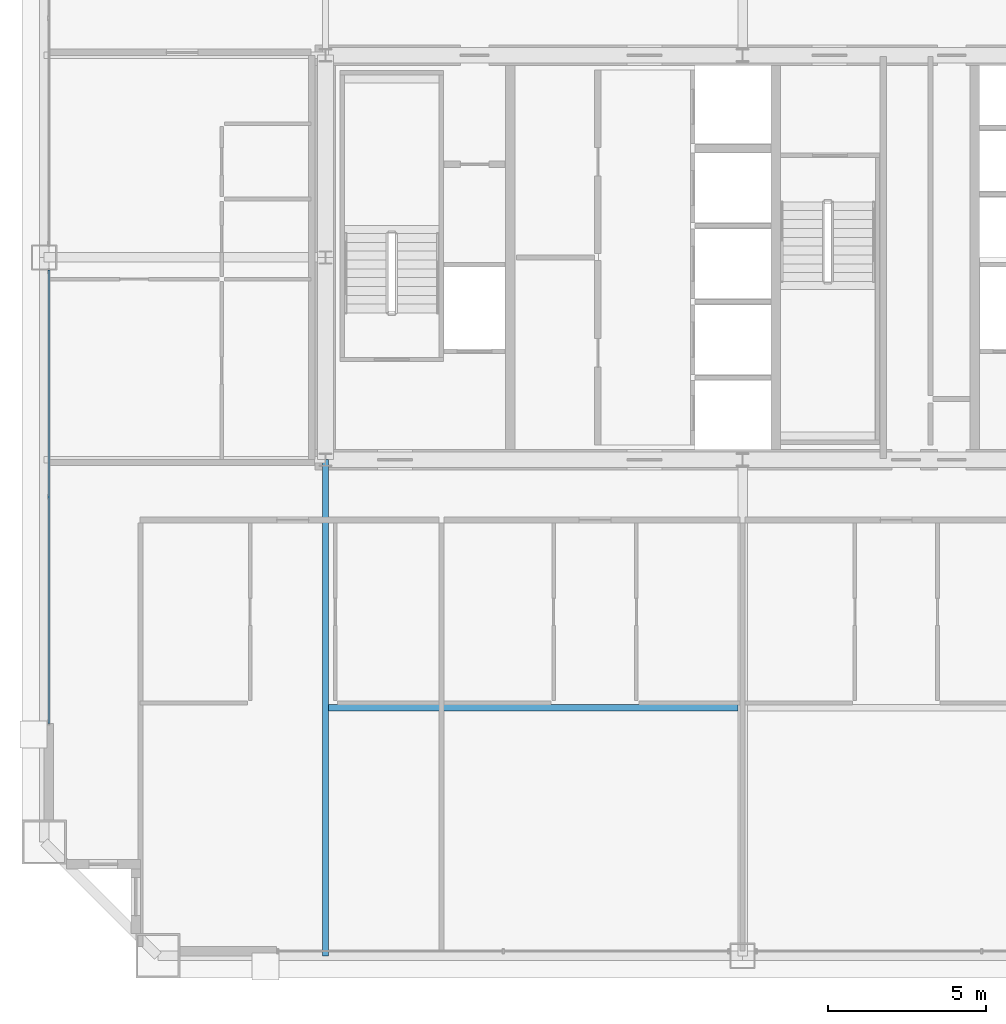
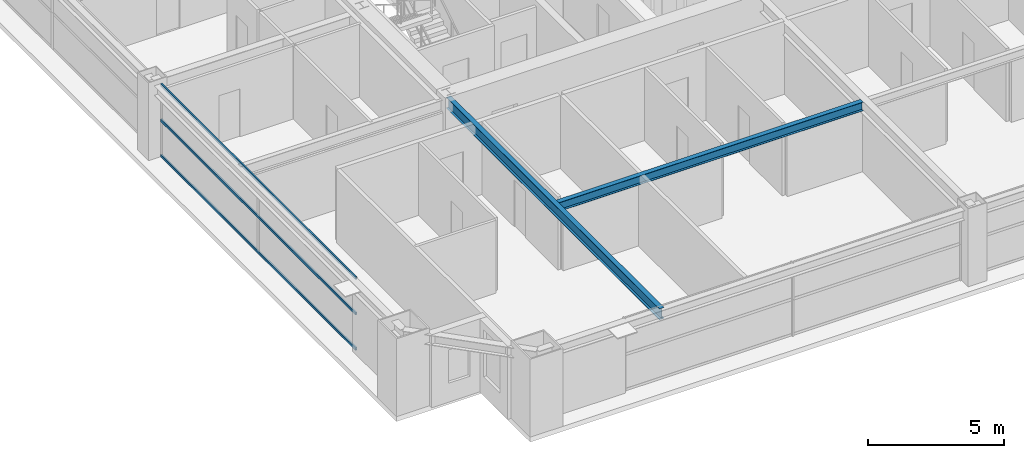
# One storey, part 9 of 38: 3 members, 2 beams, 1 element without a shape of its own.
"""IFC4 building model written with IfcOpenShell, lengths in metres."""

import ifcopenshell
import ifcopenshell.guid

model = None  # the IFC model being written
_history = None  # IfcOwnerHistory: only IFC2X3 demands one
_inside = {}  # id of a spatial element -> (the spatial element, [elements in it])
_under = {}  # id of a project, library or spatial element -> (it, [spatial elements below it])
_declared = {}  # id of a project -> (the project, [libraries it declares])
_typed = {}  # id of a type object -> (the type object, [elements of that type])
_made_of = {}  # id of a material, layer set ... -> (it, [elements and type objects made of it])


def new_model(schema):
    """Start an empty IFC model of exactly this schema.

    Asked for "IFC4X3", IfcOpenShell would pick the latest addendum, in which some entities
    have other attributes; the version numbers below select the first issue.
    IFC2X3 requires an IfcOwnerHistory on every rooted entity: one is made here for all.
    """
    global model, _history
    if schema == "IFC4X3":
        model = ifcopenshell.file(schema_version=(4, 3, 0, 0))
    else:
        model = ifcopenshell.file(schema=schema)
    _inside.clear()
    _under.clear()
    _declared.clear()
    _typed.clear()
    _made_of.clear()
    _history = None
    if model.schema == "IFC2X3":
        org = make("IfcOrganization", Name="unknown")
        user = make(
            "IfcPersonAndOrganization",
            ThePerson=make("IfcPerson", FamilyName="unknown"),
            TheOrganization=org,
        )
        app = make(
            "IfcApplication",
            ApplicationDeveloper=org,
            Version="unknown",
            ApplicationFullName="unknown",
            ApplicationIdentifier="unknown",
        )
        _history = make(
            "IfcOwnerHistory",
            OwningUser=user,
            OwningApplication=app,
            ChangeAction="ADDED",
            CreationDate=0,
        )
    return model


def make(cls, **values):
    """One entity of the class cls with the attributes given. An attribute that is None is left unset."""
    return model.create_entity(
        cls, **{name: value for name, value in values.items() if value is not None}
    )


def rooted(cls, **values):
    """An entity with a GlobalId (a new one), such as an element, a storey or a relation."""
    return make(cls, GlobalId=ifcopenshell.guid.new(), OwnerHistory=_history, **values)


def si_unit(unit_type, name, prefix=None):
    """IfcSIUnit, for example si_unit("LENGTHUNIT", "METRE", prefix="MILLI")."""
    return make("IfcSIUnit", UnitType=unit_type, Prefix=prefix, Name=name)


def assignment(units):
    """IfcUnitAssignment: the units of a project."""
    return None if units is None else make("IfcUnitAssignment", Units=units)


def point(xyz):
    """IfcCartesianPoint."""
    return None if xyz is None else make("IfcCartesianPoint", Coordinates=xyz)


def direction(xyz):
    """IfcDirection."""
    return None if xyz is None else make("IfcDirection", DirectionRatios=xyz)


def frame(location, z_axis=None, x_axis=None):
    """IfcAxis2Placement3D, a coordinate frame: its origin and axes. An axis left out is left unset."""
    return make(
        "IfcAxis2Placement3D",
        Location=point(location),
        Axis=direction(z_axis),
        RefDirection=direction(x_axis),
    )


def frame_2d(location, x_axis=None):
    """IfcAxis2Placement2D, a coordinate frame in the plane: its origin and x axis."""
    return make(
        "IfcAxis2Placement2D", Location=point(location), RefDirection=direction(x_axis)
    )


def origin():
    """The frame at (0, 0, 0) with its axes left unset."""
    return frame((0.0, 0.0, 0.0))


def origin_2d():
    """The frame at (0, 0) in the plane with its x axis left unset."""
    return frame_2d((0.0, 0.0))


def place(relative_to, where):
    """IfcLocalPlacement: puts the frame where relative to a parent placement (None: the world)."""
    return make(
        "IfcLocalPlacement", PlacementRelTo=relative_to, RelativePlacement=where
    )


def context(
    kind, dimensions, precision=None, world=None, true_north=None, identifier=None
):
    """IfcGeometricRepresentationContext, for example the 3D "Model" context."""
    return make(
        "IfcGeometricRepresentationContext",
        ContextIdentifier=identifier,
        ContextType=kind,
        CoordinateSpaceDimension=dimensions,
        Precision=precision,
        WorldCoordinateSystem=world,
        TrueNorth=true_north,
    )


def subcontext(parent, identifier, kind, view, scale=None):
    """IfcGeometricRepresentationSubContext, for example "Body" below "Model"."""
    return make(
        "IfcGeometricRepresentationSubContext",
        ContextIdentifier=identifier,
        ContextType=kind,
        ParentContext=parent,
        TargetScale=scale,
        TargetView=view,
    )


def project(units=None, contexts=None):
    """IfcProject with its units and contexts."""
    return rooted(
        "IfcProject",
        Name="project",
        RepresentationContexts=contexts,
        UnitsInContext=assignment(units),
    )


def spatial(cls, under=None, at=None, **own):
    """A site, building, storey or space (cls), placed at a placement, below another one or the project."""
    s = rooted(cls, ObjectPlacement=at, **own)
    if under is not None:
        _under.setdefault(under.id(), (under, []))[1].append(s)
    return s


def profile(cls, at=None, kind="AREA", **sizes):
    """A parametric profile (cls). Its sizes go by their IFC names, for example OverallWidth=200.0."""
    return make(cls, ProfileType=kind, Position=at, **sizes)


def hollow_rectangle(**sizes):
    """IfcRectangleHollowProfileDef."""
    return profile("IfcRectangleHollowProfileDef", **sizes)


def i_section(**sizes):
    """IfcIShapeProfileDef."""
    return profile("IfcIShapeProfileDef", **sizes)


def extrude(swept, where, along, depth):
    """IfcExtrudedAreaSolid: the profile swept, set in the frame where, extruded along a direction by depth."""
    return make(
        "IfcExtrudedAreaSolid",
        SweptArea=swept,
        Position=where,
        ExtrudedDirection=direction(along),
        Depth=depth,
    )


def shape(context_of_items, identifier, shape_type, items):
    """IfcShapeRepresentation: the items that make up one representation, for example the "Body"."""
    return make(
        "IfcShapeRepresentation",
        ContextOfItems=context_of_items,
        RepresentationIdentifier=identifier,
        RepresentationType=shape_type,
        Items=items,
    )


def source(mapping_origin, context_of_items, identifier, shape_type, items):
    """IfcRepresentationMap: a shape defined once, which mapped items show again and again."""
    return make(
        "IfcRepresentationMap",
        MappingOrigin=mapping_origin,
        MappedRepresentation=shape(context_of_items, identifier, shape_type, items),
    )


def transform(
    local_origin,
    x_axis=None,
    y_axis=None,
    z_axis=None,
    scale=None,
    scale2=None,
    scale3=None,
    uniform=True,
):
    """IfcCartesianTransformationOperator3D, or its non-uniform kind. x_axis, y_axis, z_axis: its Axis1, 2, 3."""
    if uniform:
        return make(
            "IfcCartesianTransformationOperator3D",
            Axis1=direction(x_axis),
            Axis2=direction(y_axis),
            LocalOrigin=point(local_origin),
            Scale=scale,
            Axis3=direction(z_axis),
        )
    return make(
        "IfcCartesianTransformationOperator3DnonUniform",
        Axis1=direction(x_axis),
        Axis2=direction(y_axis),
        LocalOrigin=point(local_origin),
        Scale=scale,
        Axis3=direction(z_axis),
        Scale2=scale2,
        Scale3=scale3,
    )


def mapped(mapping_source, mapping_target):
    """IfcMappedItem: shows the shape of a source again, moved by a transform."""
    return make(
        "IfcMappedItem", MappingSource=mapping_source, MappingTarget=mapping_target
    )


def material(Name=None, Category=None):
    """IfcMaterial."""
    return make("IfcMaterial", Name=Name, Category=Category)


def layer(
    of_material, thickness, ventilated=None, Name=None, Category=None, Priority=None
):
    """IfcMaterialLayer: one layer of a wall or slab, of a material (None: an air gap)."""
    return make(
        "IfcMaterialLayer",
        Material=of_material,
        LayerThickness=thickness,
        IsVentilated=ventilated,
        Name=Name,
        Category=Category,
        Priority=Priority,
    )


def layer_set(layers, Name=None):
    """IfcMaterialLayerSet."""
    return make("IfcMaterialLayerSet", MaterialLayers=layers, LayerSetName=Name)


def material_profile(
    of_material, cross_section, Name=None, Category=None, Priority=None
):
    """IfcMaterialProfile: a cross section and its material."""
    return make(
        "IfcMaterialProfile",
        Name=Name,
        Material=of_material,
        Profile=cross_section,
        Priority=Priority,
        Category=Category,
    )


def profile_set(profiles, Name=None, composite=None):
    """IfcMaterialProfileSet."""
    return make(
        "IfcMaterialProfileSet",
        Name=Name,
        MaterialProfiles=profiles,
        CompositeProfile=composite,
    )


def made_of(thing, what):
    """Note that an element or type object is made of a material, layer set ...; save() writes the relation."""
    if what is not None:
        _made_of.setdefault(what.id(), (what, []))[1].append(thing)
    return thing


def type_object(cls, material=None, **own):
    """A type object (cls), such as IfcWallType, which elements share."""
    return made_of(rooted(cls, **own), material)


def element(
    cls,
    number,
    at=None,
    inside=None,
    cuts=None,
    type_object=None,
    material=None,
    context=None,
    identifier="Body",
    shape_type=None,
    held_by="IfcProductDefinitionShape",
    body=None,
    shapes=None,
    **own,
):
    """One element of the class cls, such as IfcWall. Its Tag is "e" and its number.

    at: its placement. inside: the storey or other place that contains it. cuts: it is an
    opening in that element (IfcRelVoidsElement). A single representation is given by context,
    identifier, shape_type and body (its items); several are given by shapes. held_by: the class
    of the entity that holds the representations. save() writes the other relations.
    """
    e = rooted(cls, Tag="e%d" % number, ObjectPlacement=at, **own)
    if body is not None:
        shapes = [shape(context, identifier, shape_type, body)]
    if shapes is not None:
        e.Representation = make(held_by, Representations=shapes)
    if inside is not None:
        _inside.setdefault(inside.id(), (inside, []))[1].append(e)
    if cuts is not None:
        rooted(
            "IfcRelVoidsElement", RelatingBuildingElement=cuts, RelatedOpeningElement=e
        )
    if type_object is not None:
        _typed.setdefault(type_object.id(), (type_object, []))[1].append(e)
    return made_of(e, material)


def aggregate(whole, parts):
    """IfcRelAggregates: a whole, such as a stair, and the parts it consists of."""
    return rooted("IfcRelAggregates", RelatingObject=whole, RelatedObjects=parts)


def save(model, path):
    """Write the relations noted so far, then the file.

    IfcRelAggregates (storeys below a building ...), IfcRelContainedInSpatialStructure (elements
    in a storey), IfcRelDefinesByType, IfcRelAssociatesMaterial and IfcRelDeclares: one each for
    every whole, place, type object, material and project.
    """
    for whole, parts in _under.values():
        aggregate(whole, parts)
    for where, things in _inside.values():
        rooted(
            "IfcRelContainedInSpatialStructure",
            RelatedElements=things,
            RelatingStructure=where,
        )
    for kind, things in _typed.values():
        rooted("IfcRelDefinesByType", RelatedObjects=things, RelatingType=kind)
    for what, things in _made_of.values():
        rooted("IfcRelAssociatesMaterial", RelatedObjects=things, RelatingMaterial=what)
    for by, libraries in _declared.values():
        rooted("IfcRelDeclares", RelatingContext=by, RelatedDefinitions=libraries)
    model.write(path)


model = new_model("IFC4")

# Units and contexts
model_context = context("Model", 3, precision=1e-05, world=origin(), true_north=direction((0.0, 1.0)))
body_context = subcontext(model_context, "Body", "Model", "MODEL_VIEW")
ifc_project = project(units=[si_unit("LENGTHUNIT", "METRE"), si_unit("AREAUNIT", "SQUARE_METRE"), si_unit("VOLUMEUNIT", "CUBIC_METRE"), si_unit("PLANEANGLEUNIT", "RADIAN"), si_unit("MASSUNIT", "GRAM", prefix="KILO"), si_unit("THERMODYNAMICTEMPERATUREUNIT", "KELVIN"), si_unit("POWERUNIT", "WATT")], contexts=[model_context])

# Site, building, storey
site_placement = place(None, origin())
site = spatial("IfcSite", under=ifc_project, at=site_placement, CompositionType="ELEMENT")
building_placement = place(site_placement, origin())
building = spatial("IfcBuilding", under=site, at=building_placement, Name="Yuzanri Waterfront Tower", CompositionType="ELEMENT")
storey_placement = place(building_placement, frame((0.0, 0.0, 181.0)))
storey = spatial("IfcBuildingStorey", under=building, at=storey_placement, Name="L47", CompositionType="ELEMENT", Elevation=181.0)

# Beams
ifc_material_1 = material(Name="Steel Q355B", Category="steel")
ifc_material_profile_1 = material_profile(ifc_material_1, i_section(OverallWidth=0.199951171875, OverallDepth=0.39990234375, WebThickness=0.008056640625, FlangeThickness=0.012939453125, at=origin_2d()), Name="HN 400x200x8x13")
ifc_profile_set_1 = profile_set([ifc_material_profile_1], Name="Steel Q355B")
beam_type_1 = type_object("IfcBeamType", Name="Floor Joist Q355B HN 400x200", PredefinedType="JOIST", material=ifc_profile_set_1)
shared_shape_1 = source(origin(), body_context, "Body", "SweptSolid", [
    extrude(i_section(OverallWidth=0.199951171875, OverallDepth=0.39990234375, WebThickness=0.008056640625, FlangeThickness=0.012939453125, at=origin_2d()), origin(), (0.0, 0.0, 1.0), 12.9501953125),
])
beam_1_placement = place(storey_placement, frame((23.89990234375, 11.550048828125, 3.080078125), z_axis=(1.0, 0.0, 0.0), x_axis=(0.0, 1.0, 0.0)))
element("IfcBeam", 1, at=beam_1_placement, inside=storey, type_object=beam_type_1, Name="L47 South Bay Joist W", PredefinedType="JOIST", context=body_context, shape_type="MappedRepresentation", body=[
    mapped(shared_shape_1, transform((0.0, 0.0, 0.0), scale=1.0)),
])
ifc_material_2 = material(Name="Steel Q355B", Category="steel")
ifc_material_profile_2 = material_profile(ifc_material_2, i_section(OverallWidth=0.199951171875, OverallDepth=0.5, WebThickness=0.010009765625, FlangeThickness=0.01611328125, at=origin_2d()), Name="HN 500x200x10x16")
ifc_profile_set_2 = profile_set([ifc_material_profile_2], Name="Steel Q355B")
beam_type_2 = type_object("IfcBeamType", Name="Secondary Floor Beam Q355B HN 500x200", PredefinedType="BEAM", material=ifc_profile_set_2)
shared_shape_2 = source(origin(), body_context, "Body", "SweptSolid", [
    extrude(i_section(OverallWidth=0.199951171875, OverallDepth=0.5, WebThickness=0.010009765625, FlangeThickness=0.01611328125, at=origin_2d()), origin(), (0.0, 0.0, 1.0), 15.699951171875),
])
beam_2_placement = place(storey_placement, frame((23.800048828125, 19.39990234375, 3.030029296875), z_axis=(0.0, -1.0, 0.0), x_axis=(1.0, 0.0, 0.0)))
element("IfcBeam", 2, at=beam_2_placement, inside=storey, type_object=beam_type_2, Name="L47 South-West Core Line Beam", PredefinedType="BEAM", context=body_context, shape_type="MappedRepresentation", body=[
    mapped(shared_shape_2, transform((0.0, 0.0, 0.0), scale=1.0)),
])

# Curtain wall, members
ifc_material_3 = material(Name="Anodized Architectural Bronze", Category="metal")
ifc_layer = layer(ifc_material_3, 0.159912109375)
ifc_layer_set = layer_set([ifc_layer], Name="Anodized Architectural Bronze")
curtain_wall_type = type_object("IfcCurtainWallType", Name="Anodized Bronze Mid-Rise Residential Acoustic Unitized Curtain Wall 7200", PredefinedType="NOTDEFINED", material=ifc_layer_set)
curtain_wall_placement = place(storey_placement, origin())
curtain_wall = element("IfcCurtainWall", 3, at=curtain_wall_placement, inside=storey, type_object=curtain_wall_type, Name="L47 Curtain Wall CW-L47-WL", PredefinedType="NOTDEFINED")
ifc_material_4 = material(Name="Anodized Architectural Bronze", Category="metal")
ifc_material_profile_3 = material_profile(ifc_material_4, hollow_rectangle(XDim=0.06494140625, YDim=0.1201171875, WallThickness=0.00341796875, at=origin_2d()), Name="CWT 65x120")
ifc_profile_set_3 = profile_set([ifc_material_profile_3], Name="Anodized Architectural Bronze")
member_type = type_object("IfcMemberType", Name="Anodized Bronze Secondary Curtain-Wall Transom 65x120", PredefinedType="USERDEFINED", material=ifc_profile_set_3)
shared_shape_3 = source(origin(), body_context, "Body", "SweptSolid", [
    extrude(hollow_rectangle(XDim=0.06494140625, YDim=0.1201171875, WallThickness=0.00341796875, at=origin_2d()), origin(), (0.0, 0.0, 1.0), 14.349853515625),
])
member_1_placement = place(storey_placement, frame((15.050048828125, 11.050048828125, 0.050048828125), z_axis=(0.0, 1.0, 0.0), x_axis=(-1.0, 0.0, 0.0)))
member_1 = element("IfcMember", 4, at=member_1_placement, type_object=member_type, Name="CW-L47-WL Transom 1", ObjectType="TRANSOM", PredefinedType="USERDEFINED", context=body_context, shape_type="MappedRepresentation", body=[
    mapped(shared_shape_3, transform((0.0, 0.0, 0.0), scale=1.0)),
])
member_2_placement = place(storey_placement, frame((15.050048828125, 11.050048828125, 1.639892578125), z_axis=(0.0, 1.0, 0.0), x_axis=(-1.0, 0.0, 0.0)))
member_2 = element("IfcMember", 5, at=member_2_placement, type_object=member_type, Name="CW-L47-WL Transom 2", ObjectType="TRANSOM", PredefinedType="USERDEFINED", context=body_context, shape_type="MappedRepresentation", body=[
    mapped(shared_shape_3, transform((0.0, 0.0, 0.0), scale=1.0)),
])
member_3_placement = place(storey_placement, frame((15.050048828125, 11.050048828125, 3.22998046875), z_axis=(0.0, 1.0, 0.0), x_axis=(-1.0, 0.0, 0.0)))
member_3 = element("IfcMember", 6, at=member_3_placement, type_object=member_type, Name="CW-L47-WL Transom 3", ObjectType="TRANSOM", PredefinedType="USERDEFINED", context=body_context, shape_type="MappedRepresentation", body=[
    mapped(shared_shape_3, transform((0.0, 0.0, 0.0), scale=1.0)),
])
aggregate(curtain_wall, [member_1, member_2, member_3])

save(model, "model.ifc")
